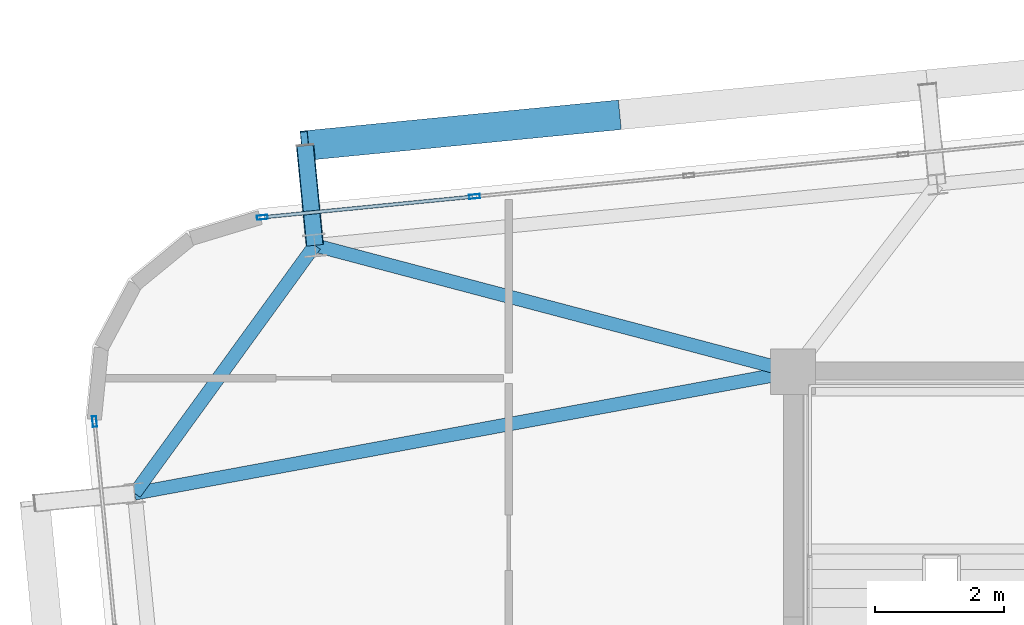
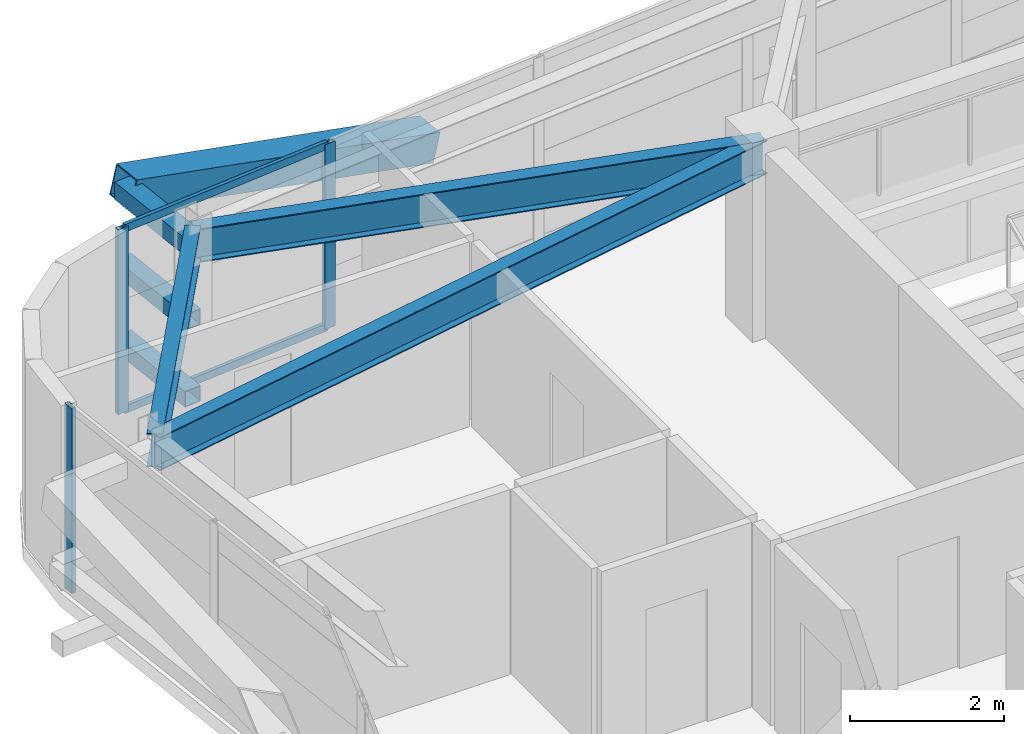
# One storey, part 27 of 53: 9 members, 3 beams, 2 elements without a shape of their own.
"""IFC4 building model written with IfcOpenShell, lengths in metres."""

from ifc_helpers import new_model, si_unit, direction, frame, origin, origin_2d, place, context, subcontext, project, spatial, hollow_rectangle, i_section, extrude, source, transform, mapped, material, layer, layer_set, material_profile, profile_set, type_object, element, aggregate, save


model = new_model("IFC4")

# Units and contexts
model_context = context("Model", 3, precision=1e-05, world=origin(), true_north=direction((0.0, 1.0)))
body_context = subcontext(model_context, "Body", "Model", "MODEL_VIEW")
ifc_project = project(units=[si_unit("LENGTHUNIT", "METRE"), si_unit("AREAUNIT", "SQUARE_METRE"), si_unit("VOLUMEUNIT", "CUBIC_METRE"), si_unit("PLANEANGLEUNIT", "RADIAN"), si_unit("MASSUNIT", "GRAM", prefix="KILO")], contexts=[model_context])

# Site, building, storey
site_placement = place(None, origin())
site = spatial("IfcSite", under=ifc_project, at=site_placement, CompositionType="ELEMENT")
building_placement = place(site_placement, origin())
building = spatial("IfcBuilding", under=site, at=building_placement, Name="Taldren Reach Tower", CompositionType="ELEMENT")
storey_placement = place(building_placement, frame((0.0, 0.0, 71.39990234375)))
storey = spatial("IfcBuildingStorey", under=building, at=storey_placement, Name="L21", CompositionType="ELEMENT", Elevation=71.39990234375)

# Beams
ifc_material_1 = material(Name="Steel Gr 350 (350PLUS)", Category="steel")
ifc_material_profile_1 = material_profile(ifc_material_1, i_section(OverallWidth=0.208984375, OverallDepth=0.528076171875, WebThickness=0.009521484375, FlangeThickness=0.01318359375, at=origin_2d()), Name="530UB82.0")
ifc_profile_set_1 = profile_set([ifc_material_profile_1], Name="Steel Gr 350 (350PLUS)")
beam_type_1 = type_object("IfcBeamType", Name="SP-UB530B", PredefinedType="SPANDREL", material=ifc_profile_set_1)
shared_shape_1 = source(origin(), body_context, "Body", "SweptSolid", [
    extrude(i_section(OverallWidth=0.208984375, OverallDepth=0.528076171875, WebThickness=0.009521484375, FlangeThickness=0.01318359375, at=origin_2d()), origin(), (0.0, 0.0, 1.0), 4.74609375),
])
beam_1_placement = place(storey_placement, frame((11.596923828125, 33.956787109375, 2.666015625), z_axis=(-0.587565912237, -0.809176308833, 0.0), x_axis=(0.809176308833, -0.587565912237, 0.0)))
element("IfcBeam", 1, at=beam_1_placement, inside=storey, type_object=beam_type_1, Name="Perimeter spandrel B2 N1-W3 L21", PredefinedType="SPANDREL", context=body_context, shape_type="MappedRepresentation", body=[
    mapped(shared_shape_1, transform((0.0, 0.0, 0.0), scale=1.0)),
])
ifc_material_profile_2 = material_profile(ifc_material_1, i_section(OverallWidth=0.208984375, OverallDepth=0.532958984375, WebThickness=0.01025390625, FlangeThickness=0.015625, at=origin_2d()), Name="530UB92.4")
ifc_profile_set_2 = profile_set([ifc_material_profile_2], Name="Steel Gr 350 (350PLUS)")
beam_type_2 = type_object("IfcBeamType", Name="BM-UB530A", PredefinedType="BEAM", material=ifc_profile_set_2)
shared_shape_2 = source(origin(), body_context, "Body", "SweptSolid", [
    extrude(i_section(OverallWidth=0.208984375, OverallDepth=0.532958984375, WebThickness=0.01025390625, FlangeThickness=0.015625, at=origin_2d()), origin(), (0.0, 0.0, 1.0), 7.6572265625),
])
beam_2_placement = place(storey_placement, frame((19.0, 32.0, 2.66357421875), z_axis=(-0.966797258245, 0.255544636904, 0.0), x_axis=(-0.255544636904, -0.966797258245, 0.0)))
element("IfcBeam", 2, at=beam_2_placement, inside=storey, type_object=beam_type_2, Name="Primary floor girder B2-N1 L21", PredefinedType="BEAM", context=body_context, shape_type="MappedRepresentation", body=[
    mapped(shared_shape_2, transform((0.0, 0.0, 0.0), scale=1.0)),
])
shared_shape_3 = source(origin(), body_context, "Body", "SweptSolid", [
    extrude(i_section(OverallWidth=0.208984375, OverallDepth=0.532958984375, WebThickness=0.01025390625, FlangeThickness=0.015625, at=origin_2d()), origin(), (0.0, 0.0, 1.0), 10.3642578125),
])
beam_3_placement = place(storey_placement, frame((19.0, 32.0, 2.66357421875), z_axis=(-0.983347548213, -0.181734970283, 0.0), x_axis=(0.181734970283, -0.983347548213, 0.0)))
element("IfcBeam", 3, at=beam_3_placement, inside=storey, type_object=beam_type_2, Name="Primary floor girder B2-W3 L21", PredefinedType="BEAM", context=body_context, shape_type="MappedRepresentation", body=[
    mapped(shared_shape_3, transform((0.0, 0.0, 0.0), scale=1.0)),
])

# Members
ifc_material_2 = material(Name="Steel Gr 450 (C450L0)", Category="steel")
ifc_material_profile_3 = material_profile(ifc_material_2, hollow_rectangle(XDim=0.27490234375, YDim=0.27490234375, WallThickness=0.00927734375, at=origin_2d()), Name="275x275x9.3SHS")
ifc_profile_set_3 = profile_set([ifc_material_profile_3], Name="Steel Gr 450 (C450L0)")
member_type_1 = type_object("IfcMemberType", Name="MB-TIE273", PredefinedType="STRUT", material=ifc_profile_set_3)
shared_shape_4 = source(origin(), body_context, "Body", "SweptSolid", [
    extrude(hollow_rectangle(XDim=0.27490234375, YDim=0.27490234375, WallThickness=0.00927734375, at=origin_2d()), origin(), (0.0, 0.0, 1.0), 1.550048828125),
])
member_1_placement = place(storey_placement, frame((11.596923828125, 33.956787109375, 2.650146484375), z_axis=(-0.097647892962, 0.9952210252, 0.0), x_axis=(-0.9952210252, -0.097647892962, 0.0)))
element("IfcMember", 4, at=member_1_placement, inside=storey, type_object=member_type_1, Name="Exoskeleton diaphragm tie strut B2-N1 L21", PredefinedType="STRUT", context=body_context, shape_type="MappedRepresentation", body=[
    mapped(shared_shape_4, transform((0.0, 0.0, 0.0), scale=1.0)),
])
ifc_material_profile_4 = material_profile(ifc_material_2, hollow_rectangle(XDim=0.4599609375, YDim=0.4599609375, WallThickness=0.01611328125, at=origin_2d()), Name="460x460x16.0SHS")
ifc_profile_set_4 = profile_set([ifc_material_profile_4], Name="Steel Gr 450 (C450L0)")
member_type_2 = type_object("IfcMemberType", Name="MB-EXO457", PredefinedType="BRACE", material=ifc_profile_set_4)
shared_shape_5 = source(origin(), body_context, "Body", "SweptSolid", [
    extrude(hollow_rectangle(XDim=0.4599609375, YDim=0.4599609375, WallThickness=0.01611328125, at=origin_2d()), origin(), (0.0, 0.0, 1.0), 4.990234375),
])
member_2_placement = place(storey_placement, frame((16.262451171875, 35.9716796875, 1.43505859375), z_axis=(-0.965275526283, -0.094619506732, 0.243496010862), x_axis=(0.097555749586, -0.995230061706, 0.0)))
element("IfcMember", 5, at=member_2_placement, inside=storey, type_object=member_type_2, Name="Exoskeleton Diagrid Brace B2-N1 L21", PredefinedType="BRACE", context=body_context, shape_type="MappedRepresentation", body=[
    mapped(shared_shape_5, transform((0.0, 0.0, 0.0), scale=1.0)),
])
ifc_material_3 = material(Name="Steel Gr 350 (C350L0)", Category="steel")
ifc_material_profile_5 = material_profile(ifc_material_3, hollow_rectangle(XDim=0.25, YDim=0.25, WallThickness=0.010009765625, at=origin_2d()), Name="250x250x10.0SHS")
ifc_profile_set_5 = profile_set([ifc_material_profile_5], Name="Steel Gr 350 (C350L0)")
member_type_3 = type_object("IfcMemberType", Name="MB-POST250", PredefinedType="POST", material=ifc_profile_set_5)
shared_shape_6 = source(origin(), body_context, "Body", "SweptSolid", [
    extrude(hollow_rectangle(XDim=0.25, YDim=0.25, WallThickness=0.010009765625, at=origin_2d()), origin(), (0.0, 0.0, 1.0), 1.550048828125),
])
for number, where, z_axis, x_axis, name in (
    (6, (11.596923828125, 33.956787109375, 0.22021484375), (-0.097647892962, 0.9952210252, 0.0), (-0.9952210252, -0.097647892962, 0.0), "Exoskeleton base diaphragm tie strut B2-N1 L21"),
    (7, (11.596923828125, 33.956787109375, 1.43505859375), (-0.097647892962, 0.9952210252, 0.0), (-0.9952210252, -0.097647892962, 0.0), "Exoskeleton mid-tier diaphragm tie B2-N1 L21"),
):
    element("IfcMember", number, at=place(storey_placement, frame(where, z_axis=z_axis, x_axis=x_axis)), inside=storey, type_object=member_type_3, Name=name, PredefinedType="POST", context=body_context, shape_type="MappedRepresentation", body=[
        mapped(shared_shape_6, transform((0.0, 0.0, 0.0), scale=1.0)),
    ])

# Curtain wall, members
ifc_material_4 = material(Name="Aluminium and Low-E Glass Unitised System", Category="aluminium")
ifc_layer = layer(ifc_material_4, 0.159912109375)
ifc_layer_set = layer_set([ifc_layer], Name="Aluminium and Low-E Glass Unitised System")
curtain_wall_type = type_object("IfcCurtainWallType", Name="CW-SYS-3", PredefinedType="NOTDEFINED", material=ifc_layer_set)
curtain_wall_1_placement = place(storey_placement, origin())
curtain_wall_1 = element("IfcCurtainWall", 8, at=curtain_wall_1_placement, inside=storey, type_object=curtain_wall_type, Name="Unitised curtain wall CW-L21-N", PredefinedType="NOTDEFINED")
ifc_material_5 = material(Name="Anodised Aluminium 6063-T6", Category="aluminium")
ifc_material_profile_6 = material_profile(ifc_material_5, hollow_rectangle(XDim=0.06494140625, YDim=0.1650390625, WallThickness=0.00390625, at=origin_2d()), Name="ALU-165x65x4RHS")
ifc_profile_set_6 = profile_set([ifc_material_profile_6], Name="Anodised Aluminium 6063-T6")
member_type_4 = type_object("IfcMemberType", Name="CW-MUL-165", PredefinedType="MULLION", material=ifc_profile_set_6)
shared_shape_7 = source(origin(), body_context, "Body", "SweptSolid", [
    extrude(hollow_rectangle(XDim=0.06494140625, YDim=0.1650390625, WallThickness=0.00390625, at=origin_2d()), origin(), (0.0, 0.0, 1.0), 2.93017578125),
])
member_3_placement = place(storey_placement, frame((14.068359375, 34.711669921875, 0.0), z_axis=(0.0, 0.0, 1.0), x_axis=(0.097582999046, -0.995227390247, 0.0)))
member_3 = element("IfcMember", 9, at=member_3_placement, type_object=member_type_4, Name="CW-3 mullion 15", PredefinedType="MULLION", context=body_context, shape_type="MappedRepresentation", body=[
    mapped(shared_shape_7, transform((0.0, 0.0, 0.0), scale=1.0)),
])
member_4_placement = place(storey_placement, frame((10.783203125, 34.3896484375, 0.0), z_axis=(0.0, 0.0, 1.0), x_axis=(0.097582999046, -0.995227390247, 0.0)))
member_4 = element("IfcMember", 10, at=member_4_placement, type_object=member_type_4, Name="CW-3 mullion 16", PredefinedType="MULLION", context=body_context, shape_type="MappedRepresentation", body=[
    mapped(shared_shape_7, transform((0.0, 0.0, 0.0), scale=1.0)),
])

# Curtain wall, member
curtain_wall_2_placement = place(storey_placement, origin())
curtain_wall_2 = element("IfcCurtainWall", 11, at=curtain_wall_2_placement, inside=storey, type_object=curtain_wall_type, Name="Unitised curtain wall CW-L21-W", PredefinedType="NOTDEFINED")
member_5_placement = place(storey_placement, frame((8.186767578125, 31.228515625, 0.0), z_axis=(0.0, 0.0, 1.0), x_axis=(0.99522741555, 0.09758274098, 0.0)))
member_5 = element("IfcMember", 12, at=member_5_placement, type_object=member_type_4, Name="CW-3 mullion 1", PredefinedType="MULLION", context=body_context, shape_type="MappedRepresentation", body=[
    mapped(shared_shape_7, transform((0.0, 0.0, 0.0), scale=1.0)),
])
aggregate(curtain_wall_2, [member_5])

# Member
ifc_material_profile_7 = material_profile(ifc_material_5, hollow_rectangle(XDim=0.054931640625, YDim=0.1201171875, WallThickness=0.0029296875, at=origin_2d()), Name="ALU-120x55x3RHS")
ifc_profile_set_7 = profile_set([ifc_material_profile_7], Name="Anodised Aluminium 6063-T6")
member_type_5 = type_object("IfcMemberType", Name="CW-TRN-135", PredefinedType="USERDEFINED", material=ifc_profile_set_7)
shared_shape_8 = source(origin(), body_context, "Body", "SweptSolid", [
    extrude(hollow_rectangle(XDim=0.054931640625, YDim=0.1201171875, WallThickness=0.0029296875, at=origin_2d()), origin(), (0.0, 0.0, 1.0), 3.235595703125),
])
member_6_placement = place(storey_placement, frame((14.035888671875, 34.70849609375, 0.027587890625), z_axis=(-0.995229530729, -0.09756116628, 0.0), x_axis=(0.09756116628, -0.995229530729, 0.0)))
member_6 = element("IfcMember", 13, at=member_6_placement, type_object=member_type_5, Name="CW-3 transom 15.1", ObjectType="TRANSOM", PredefinedType="USERDEFINED", context=body_context, shape_type="MappedRepresentation", body=[
    mapped(shared_shape_8, transform((0.0, 0.0, 0.0), scale=1.0)),
])

member_7_placement = place(storey_placement, frame((14.035888671875, 34.70849609375, 2.902587890625), z_axis=(-0.995229530729, -0.09756116628, 0.0), x_axis=(0.09756116628, -0.995229530729, 0.0)))
member_7 = element("IfcMember", 14, at=member_7_placement, type_object=member_type_5, Name="CW-3 transom 15.2", ObjectType="TRANSOM", PredefinedType="USERDEFINED", context=body_context, shape_type="MappedRepresentation", body=[
    mapped(shared_shape_8, transform((0.0, 0.0, 0.0), scale=1.0)),
])

aggregate(curtain_wall_1, [member_3, member_4, member_6, member_7])

save(model, "model.ifc")
